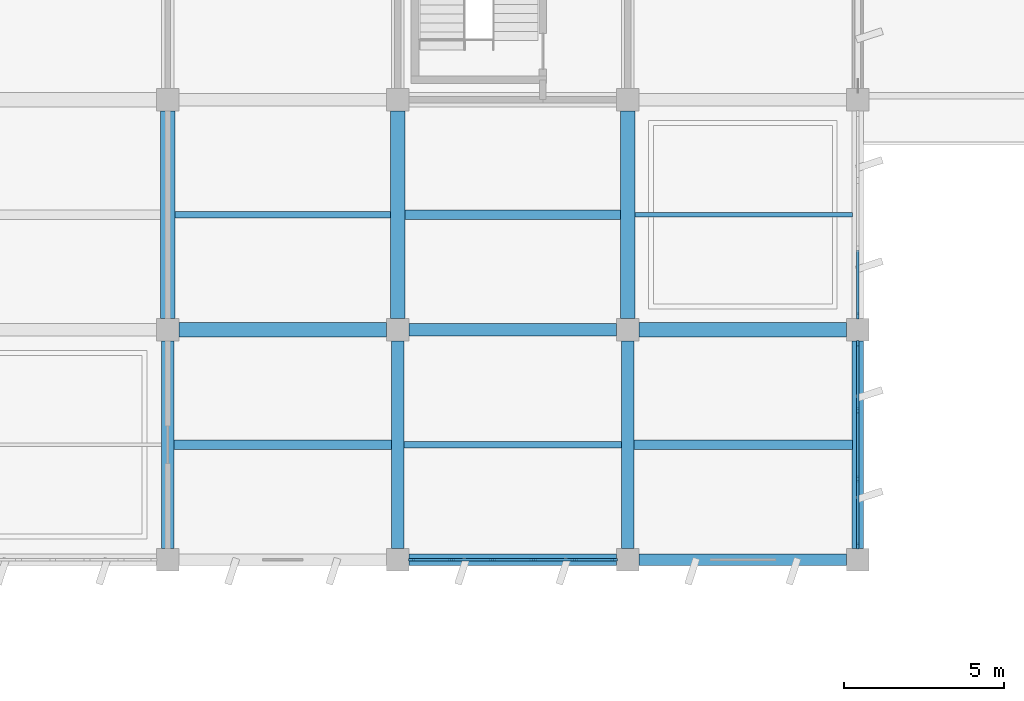
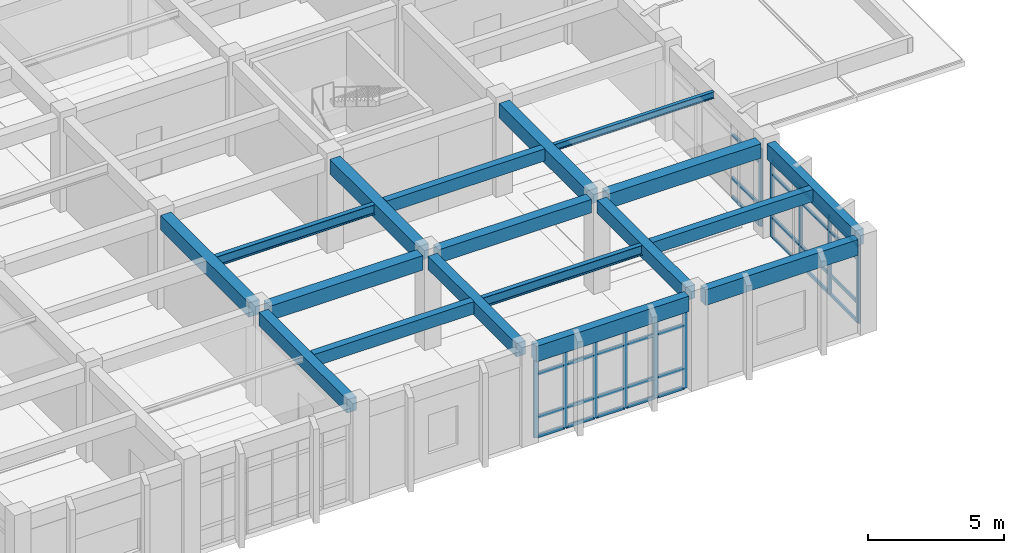
# One storey, part 31 of 81: 49 members, 15 beams, 3 elements without a shape of their own.
"""IFC4 building model written with IfcOpenShell, lengths in metres."""

from ifc_helpers import new_model, si_unit, direction, frame, origin, origin_2d, place, context, subcontext, project, spatial, rectangle, i_section, extrude, material, layer, layer_set, material_profile, profile_set, type_object, element, aggregate, save


model = new_model("IFC4")

# Units and contexts
model_context = context("Model", 3, precision=1e-05, world=origin(), true_north=direction((0.0, 1.0)))
body_context = subcontext(model_context, "Body", "Model", "MODEL_VIEW")
ifc_project = project(units=[si_unit("LENGTHUNIT", "METRE"), si_unit("AREAUNIT", "SQUARE_METRE"), si_unit("VOLUMEUNIT", "CUBIC_METRE"), si_unit("PLANEANGLEUNIT", "RADIAN"), si_unit("MASSUNIT", "GRAM", prefix="KILO")], contexts=[model_context])

# Site, building, storey
site_placement = place(None, origin())
site = spatial("IfcSite", under=ifc_project, at=site_placement, CompositionType="ELEMENT")
building_placement = place(site_placement, origin())
building = spatial("IfcBuilding", under=site, at=building_placement, Name="Kavelor Marine Aquarium", CompositionType="ELEMENT")
storey_placement = place(building_placement, frame((0.0, 0.0, 4.679931640625)))
storey = spatial("IfcBuildingStorey", under=building, at=storey_placement, Name="L01", CompositionType="ELEMENT", Elevation=4.679931640625)

# Beams
ifc_material_1 = material(Name="Concrete C40/50", Category="concrete")
ifc_material_profile_1 = material_profile(ifc_material_1, rectangle(XDim=0.449951171875, YDim=0.64990234375, at=origin_2d()), Name="RC-BM 450x650")
ifc_profile_set_1 = profile_set([ifc_material_profile_1], Name="Concrete C40/50")
beam_type_1 = type_object("IfcBeamType", Name="BM-B3", PredefinedType="BEAM", material=ifc_profile_set_1)
for number, where, z_axis, x_axis, name in (
    (1, (133.14990234375, 60.39990234375, 3.875), (1.0, 0.0, 0.0), (0.0, 1.0, 0.0), "bm:x:L01:L02:18_08"),
    (2, (147.550048828125, 60.39990234375, 3.875), (1.0, 0.0, 0.0), (0.0, 1.0, 0.0), "bm:x:L01:L02:20_08"),
    (3, (132.800048828125, 60.75, 3.875), (0.0, 1.0, 0.0), (-1.0, 0.0, 0.0), "bm:y:L01:L02:18_08"),
    (4, (140.0, 60.75, 3.875), (0.0, 1.0, 0.0), (-1.0, 0.0, 0.0), "bm:y:L01:L02:19_08"),
    (5, (147.199951171875, 60.75, 3.875), (0.0, 1.0, 0.0), (-1.0, 0.0, 0.0), "bm:y:L01:L02:20_08"),
):
    element("IfcBeam", number, at=place(storey_placement, frame(where, z_axis=z_axis, x_axis=x_axis)), inside=storey, type_object=beam_type_1, Name=name, PredefinedType="BEAM", context=body_context, shape_type="SweptSolid", body=[
        extrude(rectangle(XDim=0.449951171875, YDim=0.64990234375, at=origin_2d()), origin(), (0.0, 0.0, 1.0), 6.5),
    ])
ifc_material_2 = material(Name="Concrete C40/50", Category="concrete")
ifc_material_profile_2 = material_profile(ifc_material_2, rectangle(XDim=0.39990234375, YDim=0.60009765625, at=origin_2d()), Name="RC-BM 400x600")
ifc_profile_set_2 = profile_set([ifc_material_profile_2], Name="Concrete C40/50")
beam_type_2 = type_object("IfcBeamType", Name="BM-B4", PredefinedType="BEAM", material=ifc_profile_set_2)
for number, where, z_axis, x_axis, name in (
    (6, (140.35009765625, 60.39990234375, 3.900146484375), (1.0, 0.0, 0.0), (0.0, 1.0, 0.0), "bm:x:L01:L02:19_08"),
    (7, (132.800048828125, 53.550048828125, 3.900146484375), (0.0, 1.0, 0.0), (-1.0, 0.0, 0.0), "bm:y:L01:L02:18_07"),
    (8, (140.0, 53.550048828125, 3.900146484375), (0.0, 1.0, 0.0), (-1.0, 0.0, 0.0), "bm:y:L01:L02:19_07"),
    (9, (147.199951171875, 53.550048828125, 3.900146484375), (0.0, 1.0, 0.0), (-1.0, 0.0, 0.0), "bm:y:L01:L02:20_07"),
):
    element("IfcBeam", number, at=place(storey_placement, frame(where, z_axis=z_axis, x_axis=x_axis)), inside=storey, type_object=beam_type_2, Name=name, PredefinedType="BEAM", context=body_context, shape_type="SweptSolid", body=[
        extrude(rectangle(XDim=0.39990234375, YDim=0.60009765625, at=origin_2d()), origin(), (0.0, 0.0, 1.0), 6.5),
    ])
ifc_material_3 = material(Name="Concrete C40/50", Category="concrete")
ifc_material_profile_3 = material_profile(ifc_material_3, rectangle(XDim=0.300048828125, YDim=0.550048828125, at=origin_2d()), Name="RC-JS 300x550")
ifc_profile_set_3 = profile_set([ifc_material_profile_3], Name="Concrete C40/50")
beam_type_3 = type_object("IfcBeamType", Name="BM-JS2", PredefinedType="JOIST", material=ifc_profile_set_3)
beam_1_placement = place(storey_placement, frame((133.0, 56.800048828125, 3.945068359375), z_axis=(1.0, 0.0, 0.0), x_axis=(0.0, 1.0, 0.0)))
element("IfcBeam", 10, at=beam_1_placement, inside=storey, type_object=beam_type_3, Name="js:L01:L02:18_07", PredefinedType="JOIST", context=body_context, shape_type="SweptSolid", body=[
    extrude(rectangle(XDim=0.300048828125, YDim=0.550048828125, at=origin_2d()), origin(), (0.0, 0.0, 1.0), 6.800048828125),
])
beam_2_placement = place(storey_placement, frame((140.22509765625, 64.0, 3.945068359375), z_axis=(1.0, 0.0, 0.0), x_axis=(0.0, 1.0, 0.0)))
element("IfcBeam", 11, at=beam_2_placement, inside=storey, type_object=beam_type_3, Name="js:L01:L02:19_08", PredefinedType="JOIST", context=body_context, shape_type="SweptSolid", body=[
    extrude(rectangle(XDim=0.300048828125, YDim=0.550048828125, at=origin_2d()), origin(), (0.0, 0.0, 1.0), 6.75),
])
beam_3_placement = place(storey_placement, frame((147.39990234375, 56.800048828125, 3.945068359375), z_axis=(1.0, 0.0, 0.0), x_axis=(0.0, 1.0, 0.0)))
element("IfcBeam", 12, at=beam_3_placement, inside=storey, type_object=beam_type_3, Name="js:L01:L02:20_07", PredefinedType="JOIST", context=body_context, shape_type="SweptSolid", body=[
    extrude(rectangle(XDim=0.300048828125, YDim=0.550048828125, at=origin_2d()), origin(), (0.0, 0.0, 1.0), 6.8251953125),
])
ifc_material_4 = material(Name="Concrete C40/50", Category="concrete")
ifc_material_profile_4 = material_profile(ifc_material_4, rectangle(XDim=0.35009765625, YDim=0.699951171875, at=origin_2d()), Name="RC-SP 350x700")
ifc_profile_set_4 = profile_set([ifc_material_profile_4], Name="Concrete C40/50")
beam_type_4 = type_object("IfcBeamType", Name="BM-SP1", PredefinedType="SPANDREL", material=ifc_profile_set_4)
for number, where, z_axis, x_axis, name in (
    (13, (140.35009765625, 53.199951171875, 3.85009765625), (1.0, 0.0, 0.0), (0.0, 1.0, 0.0), "bm:x:L01:L02:19_07"),
    (14, (147.550048828125, 53.199951171875, 3.8701171875), (1.0, 0.0, 0.0), (0.0, 1.0, 0.0), "bm:x:L01:L02:20_07"),
    (15, (154.39990234375, 53.550048828125, 3.8701171875), (0.0, 1.0, 0.0), (-1.0, 0.0, 0.0), "bm:y:L01:L02:21_07"),
):
    element("IfcBeam", number, at=place(storey_placement, frame(where, z_axis=z_axis, x_axis=x_axis)), inside=storey, type_object=beam_type_4, Name=name, PredefinedType="SPANDREL", context=body_context, shape_type="SweptSolid", body=[
        extrude(rectangle(XDim=0.35009765625, YDim=0.699951171875, at=origin_2d()), origin(), (0.0, 0.0, 1.0), 6.5),
    ])

# Curtain wall, members
ifc_material_5 = material(Name="Thermally Broken Aluminium and Low-E Glass", Category="aluminium")
ifc_layer_1 = layer(ifc_material_5, 0.2919921875)
ifc_layer_set_1 = layer_set([ifc_layer_1], Name="CW-SYS19")
curtain_wall_type_1 = type_object("IfcCurtainWallType", Name="CW-SYS19", PredefinedType="USERDEFINED", material=ifc_layer_set_1)
curtain_wall_1_placement = place(storey_placement, origin())
curtain_wall_1 = element("IfcCurtainWall", 16, at=curtain_wall_1_placement, inside=storey, type_object=curtain_wall_type_1, Name="cw:y:L01:21_07", ObjectType="Curtain Wall", PredefinedType="USERDEFINED")
ifc_material_6 = material(Name="Anodised Aluminium Alloy 6063-T6", Category="aluminium")
ifc_material_profile_5 = material_profile(ifc_material_6, rectangle(XDim=0.074951171875, YDim=0.179931640625, at=origin_2d()), Name="CW-MUL 75x180")
ifc_profile_set_5 = profile_set([ifc_material_profile_5], Name="Anodised Aluminium Alloy 6063-T6")
member_type_1 = type_object("IfcMemberType", Name="CWM-1", PredefinedType="MULLION", material=ifc_profile_set_5)
member_1_placement = place(storey_placement, frame((154.39990234375, 53.632568359375, 0.0), z_axis=(0.0, 0.0, 1.0), x_axis=(-1.0, 0.0, 0.0)))
member_1 = element("IfcMember", 17, at=member_1_placement, type_object=member_type_1, Name="CW19 mullion 1", PredefinedType="MULLION", context=body_context, shape_type="SweptSolid", body=[
    extrude(rectangle(XDim=0.074951171875, YDim=0.179931640625, at=origin_2d()), origin(), (0.0, 0.0, 1.0), 3.510009765625),
])
member_2_placement = place(storey_placement, frame((154.39990234375, 55.731689453125, 0.0), z_axis=(0.0, 0.0, 1.0), x_axis=(-1.0, 0.0, 0.0)))
member_2 = element("IfcMember", 18, at=member_2_placement, type_object=member_type_1, Name="CW19 mullion 2", PredefinedType="MULLION", context=body_context, shape_type="SweptSolid", body=[
    extrude(rectangle(XDim=0.074951171875, YDim=0.179931640625, at=origin_2d()), origin(), (0.0, 0.0, 1.0), 3.510009765625),
])
member_3_placement = place(storey_placement, frame((154.39990234375, 57.868408203125, 0.0), z_axis=(0.0, 0.0, 1.0), x_axis=(-1.0, 0.0, 0.0)))
member_3 = element("IfcMember", 19, at=member_3_placement, type_object=member_type_1, Name="CW19 mullion 3", PredefinedType="MULLION", context=body_context, shape_type="SweptSolid", body=[
    extrude(rectangle(XDim=0.074951171875, YDim=0.179931640625, at=origin_2d()), origin(), (0.0, 0.0, 1.0), 3.510009765625),
])
member_4_placement = place(storey_placement, frame((154.39990234375, 59.967529296875, 0.0), z_axis=(0.0, 0.0, 1.0), x_axis=(-1.0, 0.0, 0.0)))
member_4 = element("IfcMember", 20, at=member_4_placement, type_object=member_type_1, Name="CW19 mullion 4", PredefinedType="MULLION", context=body_context, shape_type="SweptSolid", body=[
    extrude(rectangle(XDim=0.074951171875, YDim=0.179931640625, at=origin_2d()), origin(), (0.0, 0.0, 1.0), 3.510009765625),
])

# Curtain wall, member
ifc_material_7 = material(Name="Thermally Broken Aluminium and Low-E Glass", Category="aluminium")
ifc_layer_2 = layer(ifc_material_7, 0.300048828125)
ifc_layer_set_2 = layer_set([ifc_layer_2], Name="CW-SYS20")
curtain_wall_type_2 = type_object("IfcCurtainWallType", Name="CW-SYS20", PredefinedType="USERDEFINED", material=ifc_layer_set_2)
curtain_wall_2_placement = place(storey_placement, origin())
curtain_wall_2 = element("IfcCurtainWall", 21, at=curtain_wall_2_placement, inside=storey, type_object=curtain_wall_type_2, Name="cw:y:L01:21_08", ObjectType="Curtain Wall", PredefinedType="USERDEFINED")
ifc_material_8 = material(Name="Anodised Aluminium Alloy 6063-T6", Category="aluminium")
ifc_material_profile_6 = material_profile(ifc_material_8, rectangle(XDim=0.080078125, YDim=0.18505859375, at=origin_2d()), Name="CW-MUL 80x185")
ifc_profile_set_6 = profile_set([ifc_material_profile_6], Name="Anodised Aluminium Alloy 6063-T6")
member_type_2 = type_object("IfcMemberType", Name="CWM-2", PredefinedType="MULLION", material=ifc_profile_set_6)
member_5_placement = place(storey_placement, frame((154.39990234375, 60.827392578125, 0.0), z_axis=(0.0, 0.0, 1.0), x_axis=(-1.0, 0.0, 0.0)))
member_5 = element("IfcMember", 22, at=member_5_placement, type_object=member_type_2, Name="CW20 mullion 1", PredefinedType="MULLION", context=body_context, shape_type="SweptSolid", body=[
    extrude(rectangle(XDim=0.080078125, YDim=0.18505859375, at=origin_2d()), origin(), (0.0, 0.0, 1.0), 3.489990234375),
])

# Curtain wall, members
ifc_material_9 = material(Name="Thermally Broken Aluminium and Low-E Glass", Category="aluminium")
ifc_layer_3 = layer(ifc_material_9, 0.2119140625)
ifc_layer_set_3 = layer_set([ifc_layer_3], Name="CW-SYS9")
curtain_wall_type_3 = type_object("IfcCurtainWallType", Name="CW-SYS9", PredefinedType="USERDEFINED", material=ifc_layer_set_3)
curtain_wall_3_placement = place(storey_placement, origin())
curtain_wall_3 = element("IfcCurtainWall", 23, at=curtain_wall_3_placement, inside=storey, type_object=curtain_wall_type_3, Name="cw:x:L01:19_07", ObjectType="Curtain Wall", PredefinedType="USERDEFINED")
ifc_material_10 = material(Name="Anodised Aluminium Alloy 6063-T6", Category="aluminium")
ifc_material_profile_7 = material_profile(ifc_material_10, rectangle(XDim=0.0849609375, YDim=0.18994140625, at=origin_2d()), Name="CW-MUL 85x190")
ifc_profile_set_7 = profile_set([ifc_material_profile_7], Name="Anodised Aluminium Alloy 6063-T6")
member_type_3 = type_object("IfcMemberType", Name="CWM-3", PredefinedType="MULLION", material=ifc_profile_set_7)
member_6_placement = place(storey_placement, frame((146.77490234375, 53.199951171875, 0.0), z_axis=(0.0, 0.0, 1.0), x_axis=(0.0, -1.0, 0.0)))
member_6 = element("IfcMember", 24, at=member_6_placement, type_object=member_type_3, Name="CW09 mullion 1", PredefinedType="MULLION", context=body_context, shape_type="SweptSolid", body=[
    extrude(rectangle(XDim=0.0849609375, YDim=0.18994140625, at=origin_2d()), origin(), (0.0, 0.0, 1.0), 3.489990234375),
])
member_7_placement = place(storey_placement, frame((145.52294921875, 53.199951171875, 0.0), z_axis=(0.0, 0.0, 1.0), x_axis=(0.0, -1.0, 0.0)))
member_7 = element("IfcMember", 25, at=member_7_placement, type_object=member_type_3, Name="CW09 mullion 2", PredefinedType="MULLION", context=body_context, shape_type="SweptSolid", body=[
    extrude(rectangle(XDim=0.0849609375, YDim=0.18994140625, at=origin_2d()), origin(), (0.0, 0.0, 1.0), 3.489990234375),
])
member_8_placement = place(storey_placement, frame((144.240966796875, 53.199951171875, 0.0), z_axis=(0.0, 0.0, 1.0), x_axis=(0.0, -1.0, 0.0)))
member_8 = element("IfcMember", 26, at=member_8_placement, type_object=member_type_3, Name="CW09 mullion 3", PredefinedType="MULLION", context=body_context, shape_type="SweptSolid", body=[
    extrude(rectangle(XDim=0.0849609375, YDim=0.18994140625, at=origin_2d()), origin(), (0.0, 0.0, 1.0), 3.489990234375),
])
member_9_placement = place(storey_placement, frame((142.958984375, 53.199951171875, 0.0), z_axis=(0.0, 0.0, 1.0), x_axis=(0.0, -1.0, 0.0)))
member_9 = element("IfcMember", 27, at=member_9_placement, type_object=member_type_3, Name="CW09 mullion 4", PredefinedType="MULLION", context=body_context, shape_type="SweptSolid", body=[
    extrude(rectangle(XDim=0.0849609375, YDim=0.18994140625, at=origin_2d()), origin(), (0.0, 0.0, 1.0), 3.489990234375),
])
member_10_placement = place(storey_placement, frame((141.677001953125, 53.199951171875, 0.0), z_axis=(0.0, 0.0, 1.0), x_axis=(0.0, -1.0, 0.0)))
member_10 = element("IfcMember", 28, at=member_10_placement, type_object=member_type_3, Name="CW09 mullion 5", PredefinedType="MULLION", context=body_context, shape_type="SweptSolid", body=[
    extrude(rectangle(XDim=0.0849609375, YDim=0.18994140625, at=origin_2d()), origin(), (0.0, 0.0, 1.0), 3.489990234375),
])
member_11_placement = place(storey_placement, frame((140.425048828125, 53.199951171875, 0.0), z_axis=(0.0, 0.0, 1.0), x_axis=(0.0, -1.0, 0.0)))
member_11 = element("IfcMember", 29, at=member_11_placement, type_object=member_type_3, Name="CW09 mullion 6", PredefinedType="MULLION", context=body_context, shape_type="SweptSolid", body=[
    extrude(rectangle(XDim=0.0849609375, YDim=0.18994140625, at=origin_2d()), origin(), (0.0, 0.0, 1.0), 3.489990234375),
])

# Member
ifc_material_11 = material(Name="Anodised Aluminium Alloy 6063-T6", Category="aluminium")
ifc_material_profile_8 = material_profile(ifc_material_11, rectangle(XDim=0.074951171875, YDim=0.14990234375, at=origin_2d()), Name="CW-TRN 75x150")
ifc_profile_set_8 = profile_set([ifc_material_profile_8], Name="Anodised Aluminium Alloy 6063-T6")
member_type_4 = type_object("IfcMemberType", Name="CWT-1", PredefinedType="USERDEFINED", material=ifc_profile_set_8)
member_12_placement = place(storey_placement, frame((154.39990234375, 53.669921875, 0.03759765625), z_axis=(0.0, 1.0, 0.0), x_axis=(-1.0, 0.0, 0.0)))
member_12 = element("IfcMember", 30, at=member_12_placement, type_object=member_type_4, Name="CW19 transom 1.1", ObjectType="TRANSOM", PredefinedType="USERDEFINED", context=body_context, shape_type="SweptSolid", body=[
    extrude(rectangle(XDim=0.074951171875, YDim=0.14990234375, at=origin_2d()), origin(), (0.0, 0.0, 1.0), 2.024169921875),
])

member_13_placement = place(storey_placement, frame((154.39990234375, 53.669921875, 0.900146484375), z_axis=(0.0, 1.0, 0.0), x_axis=(-1.0, 0.0, 0.0)))
member_13 = element("IfcMember", 31, at=member_13_placement, type_object=member_type_4, Name="CW19 transom 1.2", ObjectType="TRANSOM", PredefinedType="USERDEFINED", context=body_context, shape_type="SweptSolid", body=[
    extrude(rectangle(XDim=0.074951171875, YDim=0.14990234375, at=origin_2d()), origin(), (0.0, 0.0, 1.0), 2.024169921875),
])

member_14_placement = place(storey_placement, frame((154.39990234375, 53.669921875, 2.860107421875), z_axis=(0.0, 1.0, 0.0), x_axis=(-1.0, 0.0, 0.0)))
member_14 = element("IfcMember", 32, at=member_14_placement, type_object=member_type_4, Name="CW19 transom 1.3", ObjectType="TRANSOM", PredefinedType="USERDEFINED", context=body_context, shape_type="SweptSolid", body=[
    extrude(rectangle(XDim=0.074951171875, YDim=0.14990234375, at=origin_2d()), origin(), (0.0, 0.0, 1.0), 2.024169921875),
])

member_15_placement = place(storey_placement, frame((154.39990234375, 53.669921875, 3.47265625), z_axis=(0.0, 1.0, 0.0), x_axis=(-1.0, 0.0, 0.0)))
member_15 = element("IfcMember", 33, at=member_15_placement, type_object=member_type_4, Name="CW19 transom 1.4", ObjectType="TRANSOM", PredefinedType="USERDEFINED", context=body_context, shape_type="SweptSolid", body=[
    extrude(rectangle(XDim=0.074951171875, YDim=0.14990234375, at=origin_2d()), origin(), (0.0, 0.0, 1.0), 2.024169921875),
])

member_16_placement = place(storey_placement, frame((154.39990234375, 55.769287109375, 0.03759765625), z_axis=(0.0, 1.0, 0.0), x_axis=(-1.0, 0.0, 0.0)))
member_16 = element("IfcMember", 34, at=member_16_placement, type_object=member_type_4, Name="CW19 transom 2.1", ObjectType="TRANSOM", PredefinedType="USERDEFINED", context=body_context, shape_type="SweptSolid", body=[
    extrude(rectangle(XDim=0.074951171875, YDim=0.14990234375, at=origin_2d()), origin(), (0.0, 0.0, 1.0), 2.0615234375),
])

member_17_placement = place(storey_placement, frame((154.39990234375, 55.769287109375, 0.900146484375), z_axis=(0.0, 1.0, 0.0), x_axis=(-1.0, 0.0, 0.0)))
member_17 = element("IfcMember", 35, at=member_17_placement, type_object=member_type_4, Name="CW19 transom 2.2", ObjectType="TRANSOM", PredefinedType="USERDEFINED", context=body_context, shape_type="SweptSolid", body=[
    extrude(rectangle(XDim=0.074951171875, YDim=0.14990234375, at=origin_2d()), origin(), (0.0, 0.0, 1.0), 2.0615234375),
])

member_18_placement = place(storey_placement, frame((154.39990234375, 55.769287109375, 2.860107421875), z_axis=(0.0, 1.0, 0.0), x_axis=(-1.0, 0.0, 0.0)))
member_18 = element("IfcMember", 36, at=member_18_placement, type_object=member_type_4, Name="CW19 transom 2.3", ObjectType="TRANSOM", PredefinedType="USERDEFINED", context=body_context, shape_type="SweptSolid", body=[
    extrude(rectangle(XDim=0.074951171875, YDim=0.14990234375, at=origin_2d()), origin(), (0.0, 0.0, 1.0), 2.0615234375),
])

member_19_placement = place(storey_placement, frame((154.39990234375, 55.769287109375, 3.47265625), z_axis=(0.0, 1.0, 0.0), x_axis=(-1.0, 0.0, 0.0)))
member_19 = element("IfcMember", 37, at=member_19_placement, type_object=member_type_4, Name="CW19 transom 2.4", ObjectType="TRANSOM", PredefinedType="USERDEFINED", context=body_context, shape_type="SweptSolid", body=[
    extrude(rectangle(XDim=0.074951171875, YDim=0.14990234375, at=origin_2d()), origin(), (0.0, 0.0, 1.0), 2.0615234375),
])

member_20_placement = place(storey_placement, frame((154.39990234375, 57.90576171875, 0.03759765625), z_axis=(0.0, 1.0, 0.0), x_axis=(-1.0, 0.0, 0.0)))
member_20 = element("IfcMember", 38, at=member_20_placement, type_object=member_type_4, Name="CW19 transom 3.1", ObjectType="TRANSOM", PredefinedType="USERDEFINED", context=body_context, shape_type="SweptSolid", body=[
    extrude(rectangle(XDim=0.074951171875, YDim=0.14990234375, at=origin_2d()), origin(), (0.0, 0.0, 1.0), 2.024169921875),
])

member_21_placement = place(storey_placement, frame((154.39990234375, 57.90576171875, 0.900146484375), z_axis=(0.0, 1.0, 0.0), x_axis=(-1.0, 0.0, 0.0)))
member_21 = element("IfcMember", 39, at=member_21_placement, type_object=member_type_4, Name="CW19 transom 3.2", ObjectType="TRANSOM", PredefinedType="USERDEFINED", context=body_context, shape_type="SweptSolid", body=[
    extrude(rectangle(XDim=0.074951171875, YDim=0.14990234375, at=origin_2d()), origin(), (0.0, 0.0, 1.0), 2.024169921875),
])

member_22_placement = place(storey_placement, frame((154.39990234375, 57.90576171875, 2.860107421875), z_axis=(0.0, 1.0, 0.0), x_axis=(-1.0, 0.0, 0.0)))
member_22 = element("IfcMember", 40, at=member_22_placement, type_object=member_type_4, Name="CW19 transom 3.3", ObjectType="TRANSOM", PredefinedType="USERDEFINED", context=body_context, shape_type="SweptSolid", body=[
    extrude(rectangle(XDim=0.074951171875, YDim=0.14990234375, at=origin_2d()), origin(), (0.0, 0.0, 1.0), 2.024169921875),
])

member_23_placement = place(storey_placement, frame((154.39990234375, 57.90576171875, 3.47265625), z_axis=(0.0, 1.0, 0.0), x_axis=(-1.0, 0.0, 0.0)))
member_23 = element("IfcMember", 41, at=member_23_placement, type_object=member_type_4, Name="CW19 transom 3.4", ObjectType="TRANSOM", PredefinedType="USERDEFINED", context=body_context, shape_type="SweptSolid", body=[
    extrude(rectangle(XDim=0.074951171875, YDim=0.14990234375, at=origin_2d()), origin(), (0.0, 0.0, 1.0), 2.024169921875),
])

aggregate(curtain_wall_1, [member_1, member_2, member_3, member_4, member_12, member_13, member_14, member_15, member_16, member_17, member_18, member_19, member_20, member_21, member_22, member_23])

ifc_material_12 = material(Name="Anodised Aluminium Alloy 6063-T6", Category="aluminium")
ifc_material_profile_9 = material_profile(ifc_material_12, rectangle(XDim=0.080078125, YDim=0.155029296875, at=origin_2d()), Name="CW-TRN 80x155")
ifc_profile_set_9 = profile_set([ifc_material_profile_9], Name="Anodised Aluminium Alloy 6063-T6")
member_type_5 = type_object("IfcMemberType", Name="CWT-2", PredefinedType="USERDEFINED", material=ifc_profile_set_9)
member_24_placement = place(storey_placement, frame((146.7451171875, 53.199951171875, 0.032470703125), z_axis=(-1.0, 0.0, 0.0), x_axis=(0.0, -1.0, 0.0)))
member_24 = element("IfcMember", 42, at=member_24_placement, type_object=member_type_5, Name="CW09 transom 1.1", ObjectType="TRANSOM", PredefinedType="USERDEFINED", context=body_context, shape_type="SweptSolid", body=[
    extrude(rectangle(XDim=0.080078125, YDim=0.155029296875, at=origin_2d()), origin(), (0.0, 0.0, 1.0), 1.192138671875),
])

member_25_placement = place(storey_placement, frame((146.7451171875, 53.199951171875, 0.900146484375), z_axis=(-1.0, 0.0, 0.0), x_axis=(0.0, -1.0, 0.0)))
member_25 = element("IfcMember", 43, at=member_25_placement, type_object=member_type_5, Name="CW09 transom 1.2", ObjectType="TRANSOM", PredefinedType="USERDEFINED", context=body_context, shape_type="SweptSolid", body=[
    extrude(rectangle(XDim=0.080078125, YDim=0.155029296875, at=origin_2d()), origin(), (0.0, 0.0, 1.0), 1.192138671875),
])

member_26_placement = place(storey_placement, frame((146.7451171875, 53.199951171875, 2.840087890625), z_axis=(-1.0, 0.0, 0.0), x_axis=(0.0, -1.0, 0.0)))
member_26 = element("IfcMember", 44, at=member_26_placement, type_object=member_type_5, Name="CW09 transom 1.3", ObjectType="TRANSOM", PredefinedType="USERDEFINED", context=body_context, shape_type="SweptSolid", body=[
    extrude(rectangle(XDim=0.080078125, YDim=0.155029296875, at=origin_2d()), origin(), (0.0, 0.0, 1.0), 1.192138671875),
])

member_27_placement = place(storey_placement, frame((146.7451171875, 53.199951171875, 3.45751953125), z_axis=(-1.0, 0.0, 0.0), x_axis=(0.0, -1.0, 0.0)))
member_27 = element("IfcMember", 45, at=member_27_placement, type_object=member_type_5, Name="CW09 transom 1.4", ObjectType="TRANSOM", PredefinedType="USERDEFINED", context=body_context, shape_type="SweptSolid", body=[
    extrude(rectangle(XDim=0.080078125, YDim=0.155029296875, at=origin_2d()), origin(), (0.0, 0.0, 1.0), 1.192138671875),
])

member_28_placement = place(storey_placement, frame((145.492919921875, 53.199951171875, 0.032470703125), z_axis=(-1.0, 0.0, 0.0), x_axis=(0.0, -1.0, 0.0)))
member_28 = element("IfcMember", 46, at=member_28_placement, type_object=member_type_5, Name="CW09 transom 2.1", ObjectType="TRANSOM", PredefinedType="USERDEFINED", context=body_context, shape_type="SweptSolid", body=[
    extrude(rectangle(XDim=0.080078125, YDim=0.155029296875, at=origin_2d()), origin(), (0.0, 0.0, 1.0), 1.221923828125),
])

member_29_placement = place(storey_placement, frame((145.492919921875, 53.199951171875, 0.900146484375), z_axis=(-1.0, 0.0, 0.0), x_axis=(0.0, -1.0, 0.0)))
member_29 = element("IfcMember", 47, at=member_29_placement, type_object=member_type_5, Name="CW09 transom 2.2", ObjectType="TRANSOM", PredefinedType="USERDEFINED", context=body_context, shape_type="SweptSolid", body=[
    extrude(rectangle(XDim=0.080078125, YDim=0.155029296875, at=origin_2d()), origin(), (0.0, 0.0, 1.0), 1.221923828125),
])

member_30_placement = place(storey_placement, frame((145.492919921875, 53.199951171875, 2.840087890625), z_axis=(-1.0, 0.0, 0.0), x_axis=(0.0, -1.0, 0.0)))
member_30 = element("IfcMember", 48, at=member_30_placement, type_object=member_type_5, Name="CW09 transom 2.3", ObjectType="TRANSOM", PredefinedType="USERDEFINED", context=body_context, shape_type="SweptSolid", body=[
    extrude(rectangle(XDim=0.080078125, YDim=0.155029296875, at=origin_2d()), origin(), (0.0, 0.0, 1.0), 1.221923828125),
])

member_31_placement = place(storey_placement, frame((145.492919921875, 53.199951171875, 3.45751953125), z_axis=(-1.0, 0.0, 0.0), x_axis=(0.0, -1.0, 0.0)))
member_31 = element("IfcMember", 49, at=member_31_placement, type_object=member_type_5, Name="CW09 transom 2.4", ObjectType="TRANSOM", PredefinedType="USERDEFINED", context=body_context, shape_type="SweptSolid", body=[
    extrude(rectangle(XDim=0.080078125, YDim=0.155029296875, at=origin_2d()), origin(), (0.0, 0.0, 1.0), 1.221923828125),
])

member_32_placement = place(storey_placement, frame((144.2109375, 53.199951171875, 0.032470703125), z_axis=(-1.0, 0.0, 0.0), x_axis=(0.0, -1.0, 0.0)))
member_32 = element("IfcMember", 50, at=member_32_placement, type_object=member_type_5, Name="CW09 transom 3.1", ObjectType="TRANSOM", PredefinedType="USERDEFINED", context=body_context, shape_type="SweptSolid", body=[
    extrude(rectangle(XDim=0.080078125, YDim=0.155029296875, at=origin_2d()), origin(), (0.0, 0.0, 1.0), 1.221923828125),
])

member_33_placement = place(storey_placement, frame((144.2109375, 53.199951171875, 0.900146484375), z_axis=(-1.0, 0.0, 0.0), x_axis=(0.0, -1.0, 0.0)))
member_33 = element("IfcMember", 51, at=member_33_placement, type_object=member_type_5, Name="CW09 transom 3.2", ObjectType="TRANSOM", PredefinedType="USERDEFINED", context=body_context, shape_type="SweptSolid", body=[
    extrude(rectangle(XDim=0.080078125, YDim=0.155029296875, at=origin_2d()), origin(), (0.0, 0.0, 1.0), 1.221923828125),
])

member_34_placement = place(storey_placement, frame((144.2109375, 53.199951171875, 2.840087890625), z_axis=(-1.0, 0.0, 0.0), x_axis=(0.0, -1.0, 0.0)))
member_34 = element("IfcMember", 52, at=member_34_placement, type_object=member_type_5, Name="CW09 transom 3.3", ObjectType="TRANSOM", PredefinedType="USERDEFINED", context=body_context, shape_type="SweptSolid", body=[
    extrude(rectangle(XDim=0.080078125, YDim=0.155029296875, at=origin_2d()), origin(), (0.0, 0.0, 1.0), 1.221923828125),
])

member_35_placement = place(storey_placement, frame((144.2109375, 53.199951171875, 3.45751953125), z_axis=(-1.0, 0.0, 0.0), x_axis=(0.0, -1.0, 0.0)))
member_35 = element("IfcMember", 53, at=member_35_placement, type_object=member_type_5, Name="CW09 transom 3.4", ObjectType="TRANSOM", PredefinedType="USERDEFINED", context=body_context, shape_type="SweptSolid", body=[
    extrude(rectangle(XDim=0.080078125, YDim=0.155029296875, at=origin_2d()), origin(), (0.0, 0.0, 1.0), 1.221923828125),
])

member_36_placement = place(storey_placement, frame((142.928955078125, 53.199951171875, 0.032470703125), z_axis=(-1.0, 0.0, 0.0), x_axis=(0.0, -1.0, 0.0)))
member_36 = element("IfcMember", 54, at=member_36_placement, type_object=member_type_5, Name="CW09 transom 4.1", ObjectType="TRANSOM", PredefinedType="USERDEFINED", context=body_context, shape_type="SweptSolid", body=[
    extrude(rectangle(XDim=0.080078125, YDim=0.155029296875, at=origin_2d()), origin(), (0.0, 0.0, 1.0), 1.221923828125),
])

member_37_placement = place(storey_placement, frame((142.928955078125, 53.199951171875, 0.900146484375), z_axis=(-1.0, 0.0, 0.0), x_axis=(0.0, -1.0, 0.0)))
member_37 = element("IfcMember", 55, at=member_37_placement, type_object=member_type_5, Name="CW09 transom 4.2", ObjectType="TRANSOM", PredefinedType="USERDEFINED", context=body_context, shape_type="SweptSolid", body=[
    extrude(rectangle(XDim=0.080078125, YDim=0.155029296875, at=origin_2d()), origin(), (0.0, 0.0, 1.0), 1.221923828125),
])

member_38_placement = place(storey_placement, frame((142.928955078125, 53.199951171875, 2.840087890625), z_axis=(-1.0, 0.0, 0.0), x_axis=(0.0, -1.0, 0.0)))
member_38 = element("IfcMember", 56, at=member_38_placement, type_object=member_type_5, Name="CW09 transom 4.3", ObjectType="TRANSOM", PredefinedType="USERDEFINED", context=body_context, shape_type="SweptSolid", body=[
    extrude(rectangle(XDim=0.080078125, YDim=0.155029296875, at=origin_2d()), origin(), (0.0, 0.0, 1.0), 1.221923828125),
])

member_39_placement = place(storey_placement, frame((142.928955078125, 53.199951171875, 3.45751953125), z_axis=(-1.0, 0.0, 0.0), x_axis=(0.0, -1.0, 0.0)))
member_39 = element("IfcMember", 57, at=member_39_placement, type_object=member_type_5, Name="CW09 transom 4.4", ObjectType="TRANSOM", PredefinedType="USERDEFINED", context=body_context, shape_type="SweptSolid", body=[
    extrude(rectangle(XDim=0.080078125, YDim=0.155029296875, at=origin_2d()), origin(), (0.0, 0.0, 1.0), 1.221923828125),
])

member_40_placement = place(storey_placement, frame((141.64697265625, 53.199951171875, 0.032470703125), z_axis=(-1.0, 0.0, 0.0), x_axis=(0.0, -1.0, 0.0)))
member_40 = element("IfcMember", 58, at=member_40_placement, type_object=member_type_5, Name="CW09 transom 5.1", ObjectType="TRANSOM", PredefinedType="USERDEFINED", context=body_context, shape_type="SweptSolid", body=[
    extrude(rectangle(XDim=0.080078125, YDim=0.155029296875, at=origin_2d()), origin(), (0.0, 0.0, 1.0), 1.19189453125),
])

member_41_placement = place(storey_placement, frame((141.64697265625, 53.199951171875, 0.900146484375), z_axis=(-1.0, 0.0, 0.0), x_axis=(0.0, -1.0, 0.0)))
member_41 = element("IfcMember", 59, at=member_41_placement, type_object=member_type_5, Name="CW09 transom 5.2", ObjectType="TRANSOM", PredefinedType="USERDEFINED", context=body_context, shape_type="SweptSolid", body=[
    extrude(rectangle(XDim=0.080078125, YDim=0.155029296875, at=origin_2d()), origin(), (0.0, 0.0, 1.0), 1.19189453125),
])

member_42_placement = place(storey_placement, frame((141.64697265625, 53.199951171875, 2.840087890625), z_axis=(-1.0, 0.0, 0.0), x_axis=(0.0, -1.0, 0.0)))
member_42 = element("IfcMember", 60, at=member_42_placement, type_object=member_type_5, Name="CW09 transom 5.3", ObjectType="TRANSOM", PredefinedType="USERDEFINED", context=body_context, shape_type="SweptSolid", body=[
    extrude(rectangle(XDim=0.080078125, YDim=0.155029296875, at=origin_2d()), origin(), (0.0, 0.0, 1.0), 1.19189453125),
])

member_43_placement = place(storey_placement, frame((141.64697265625, 53.199951171875, 3.45751953125), z_axis=(-1.0, 0.0, 0.0), x_axis=(0.0, -1.0, 0.0)))
member_43 = element("IfcMember", 61, at=member_43_placement, type_object=member_type_5, Name="CW09 transom 5.4", ObjectType="TRANSOM", PredefinedType="USERDEFINED", context=body_context, shape_type="SweptSolid", body=[
    extrude(rectangle(XDim=0.080078125, YDim=0.155029296875, at=origin_2d()), origin(), (0.0, 0.0, 1.0), 1.19189453125),
])

aggregate(curtain_wall_3, [member_6, member_7, member_8, member_9, member_10, member_11, member_24, member_25, member_26, member_27, member_28, member_29, member_30, member_31, member_32, member_33, member_34, member_35, member_36, member_37, member_38, member_39, member_40, member_41, member_42, member_43])

member_44_placement = place(storey_placement, frame((154.39990234375, 60.860107421875, 0.032470703125), z_axis=(0.0, 1.0, 0.0), x_axis=(-1.0, 0.0, 0.0)))
member_44 = element("IfcMember", 62, at=member_44_placement, type_object=member_type_5, Name="CW20 transom 1.1", ObjectType="TRANSOM", PredefinedType="USERDEFINED", context=body_context, shape_type="SweptSolid", body=[
    extrude(rectangle(XDim=0.080078125, YDim=0.155029296875, at=origin_2d()), origin(), (0.0, 0.0, 1.0), 2.0390625),
])

member_45_placement = place(storey_placement, frame((154.39990234375, 60.860107421875, 0.900146484375), z_axis=(0.0, 1.0, 0.0), x_axis=(-1.0, 0.0, 0.0)))
member_45 = element("IfcMember", 63, at=member_45_placement, type_object=member_type_5, Name="CW20 transom 1.2", ObjectType="TRANSOM", PredefinedType="USERDEFINED", context=body_context, shape_type="SweptSolid", body=[
    extrude(rectangle(XDim=0.080078125, YDim=0.155029296875, at=origin_2d()), origin(), (0.0, 0.0, 1.0), 2.0390625),
])

member_46_placement = place(storey_placement, frame((154.39990234375, 60.860107421875, 2.840087890625), z_axis=(0.0, 1.0, 0.0), x_axis=(-1.0, 0.0, 0.0)))
member_46 = element("IfcMember", 64, at=member_46_placement, type_object=member_type_5, Name="CW20 transom 1.3", ObjectType="TRANSOM", PredefinedType="USERDEFINED", context=body_context, shape_type="SweptSolid", body=[
    extrude(rectangle(XDim=0.080078125, YDim=0.155029296875, at=origin_2d()), origin(), (0.0, 0.0, 1.0), 2.0390625),
])

aggregate(curtain_wall_2, [member_5, member_44, member_45, member_46])

# Members
ifc_material_13 = material(Name="Steel S355", Category="steel")
ifc_material_profile_10 = material_profile(ifc_material_13, i_section(OverallWidth=0.18994140625, OverallDepth=0.449951171875, WebThickness=0.009521484375, FlangeThickness=0.0146484375, FilletRadius=0.02099609375, at=origin_2d()), Name="IPE 450")
ifc_profile_set_10 = profile_set([ifc_material_profile_10], Name="Steel S355")
member_type_6 = type_object("IfcMemberType", Name="PR-SJ2", PredefinedType="PURLIN", material=ifc_profile_set_10)
member_47_placement = place(storey_placement, frame((133.02490234375, 64.0, 3.97509765625), z_axis=(1.0, 0.0, 0.0), x_axis=(0.0, 1.0, 0.0)))
element("IfcMember", 65, at=member_47_placement, inside=storey, type_object=member_type_6, Name="js:L01:L02:18_08", PredefinedType="PURLIN", context=body_context, shape_type="SweptSolid", body=[
    extrude(i_section(OverallWidth=0.18994140625, OverallDepth=0.449951171875, WebThickness=0.009521484375, FlangeThickness=0.0146484375, FilletRadius=0.02099609375, at=origin_2d()), origin(), (0.0, 0.0, 1.0), 6.75),
])
member_48_placement = place(storey_placement, frame((140.199951171875, 56.800048828125, 3.97509765625), z_axis=(1.0, 0.0, 0.0), x_axis=(0.0, 1.0, 0.0)))
element("IfcMember", 66, at=member_48_placement, inside=storey, type_object=member_type_6, Name="js:L01:L02:19_07", PredefinedType="PURLIN", context=body_context, shape_type="SweptSolid", body=[
    extrude(i_section(OverallWidth=0.18994140625, OverallDepth=0.449951171875, WebThickness=0.009521484375, FlangeThickness=0.0146484375, FilletRadius=0.02099609375, at=origin_2d()), origin(), (0.0, 0.0, 1.0), 6.800048828125),
])
ifc_material_14 = material(Name="Steel S355", Category="steel")
ifc_material_profile_11 = material_profile(ifc_material_14, i_section(OverallWidth=0.14990234375, OverallDepth=0.300048828125, WebThickness=0.007080078125, FlangeThickness=0.0107421875, FilletRadius=0.014892578125, at=origin_2d()), Name="IPE 300")
ifc_profile_set_11 = profile_set([ifc_material_profile_11], Name="Steel S355")
member_type_7 = type_object("IfcMemberType", Name="PR-SJ4", PredefinedType="PURLIN", material=ifc_profile_set_11)
member_49_placement = place(storey_placement, frame((147.425048828125, 64.0, 4.050048828125), z_axis=(1.0, 0.0, 0.0), x_axis=(0.0, 1.0, 0.0)))
element("IfcMember", 67, at=member_49_placement, inside=storey, type_object=member_type_7, Name="js:L01:L02:20_08", PredefinedType="PURLIN", context=body_context, shape_type="SweptSolid", body=[
    extrude(i_section(OverallWidth=0.14990234375, OverallDepth=0.300048828125, WebThickness=0.007080078125, FlangeThickness=0.0107421875, FilletRadius=0.014892578125, at=origin_2d()), origin(), (0.0, 0.0, 1.0), 6.800048828125),
])

save(model, "model.ifc")
